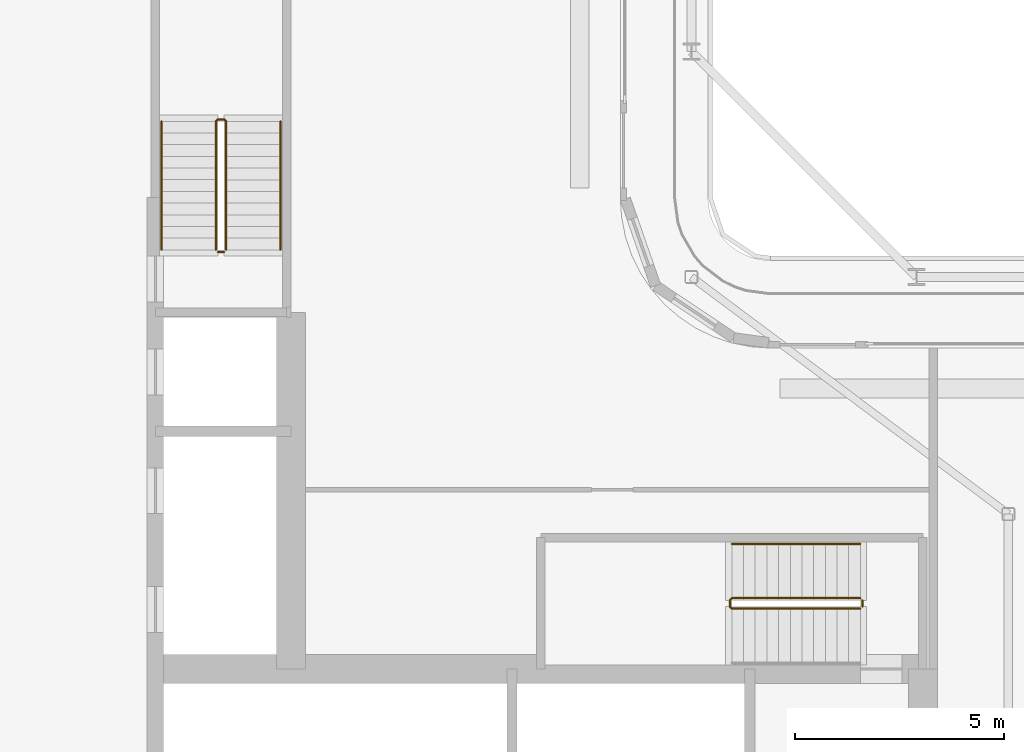
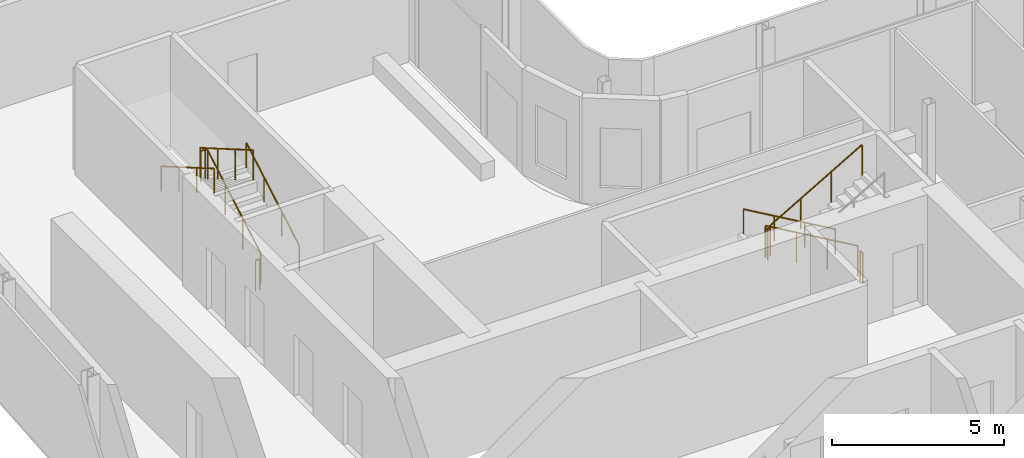
# One storey, part 18 of 23: 7 railings.
"""IFC4 building model written with IfcOpenShell, lengths in metres."""

from ifc_helpers import new_model, si_unit, direction, frame, origin, origin_2d, place, context, subcontext, project, spatial, circle, extrude, material, type_object, element, save


model = new_model("IFC4")

# Units and contexts
model_context = context("Model", 3, precision=1e-05, world=origin(), true_north=direction((0.0, 1.0)))
body_context = subcontext(model_context, "Body", "Model", "MODEL_VIEW")
ifc_project = project(units=[si_unit("LENGTHUNIT", "METRE"), si_unit("AREAUNIT", "SQUARE_METRE"), si_unit("VOLUMEUNIT", "CUBIC_METRE"), si_unit("PLANEANGLEUNIT", "RADIAN"), si_unit("MASSUNIT", "GRAM", prefix="KILO")], contexts=[model_context])

# Site, building, storey
site_placement = place(None, origin())
site = spatial("IfcSite", under=ifc_project, at=site_placement, CompositionType="ELEMENT")
building_placement = place(site_placement, origin())
building = spatial("IfcBuilding", under=site, at=building_placement, Name="Kheshtan School and Residences Tower", CompositionType="ELEMENT")
storey_placement = place(building_placement, frame((0.0, 0.0, 243.5)))
storey = spatial("IfcBuildingStorey", under=building, at=storey_placement, Name="L57", CompositionType="ELEMENT", Elevation=243.5)

# Railings
ifc_material_1 = material(Name="Stainless steel balustrade", Category="steel")
railing_type_1 = type_object("IfcRailingType", Name="Stair guard 1100", PredefinedType="GUARDRAIL", material=ifc_material_1)
railing_1_placement = place(storey_placement, frame((51.64990234375, 37.89990234375, 0.16259765625)))
element("IfcRailing", 1, at=railing_1_placement, inside=storey, type_object=railing_type_1, Name="L57 ST1 stair guard 1", PredefinedType="GUARDRAIL", context=body_context, shape_type="SweptSolid", body=[
    extrude(circle(Radius=0.02392578125, at=origin_2d()), frame((0.0, 0.0, 1.076171875), z_axis=(-0.864903211148, 0.0, 0.501938676878), x_axis=(0.0, -1.0, 0.0)), (0.0, 0.0, 1.0), 3.560791015625),
    extrude(circle(Radius=0.02392578125, at=origin_2d()), frame((-3.079833984375, 0.0, 2.86328125), z_axis=(-0.708833529934, -0.705375805398, 0.0), x_axis=(0.705375805398, -0.708833529934, 0.0)), (0.0, 0.0, 1.0), 0.070556640625),
    extrude(circle(Radius=0.02392578125, at=origin_2d()), frame((-3.1298828125, -0.0498046875, 2.86328125), z_axis=(0.0, -1.0, 0.0), x_axis=(1.0, 0.0, 0.0)), (0.0, 0.0, 1.0), 0.150146484375),
    extrude(circle(Radius=0.02392578125, at=origin_2d()), frame((-3.1298828125, -0.199951171875, 2.86328125), z_axis=(0.282227285176, -0.282227285176, 0.916894497205), x_axis=(0.707106781187, 0.707106781187, 0.0)), (0.0, 0.0, 1.0), 0.17724609375),
    extrude(circle(Radius=0.02392578125, at=origin_2d()), frame((-3.079833984375, -0.25, 3.02587890625), z_axis=(0.864903211148, 0.0, 0.501938676878), x_axis=(0.0, 1.0, 0.0)), (0.0, 0.0, 1.0), 3.560791015625),
    extrude(circle(Radius=0.02099609375, at=origin_2d()), origin(), (0.0, 0.0, 1.0), 1.052001953125),
    extrude(circle(Radius=0.02099609375, at=origin_2d()), frame((-1.026611328125, 0.0, 0.595703125)), (0.0, 0.0, 1.0), 1.052001953125),
    extrude(circle(Radius=0.02099609375, at=origin_2d()), frame((-2.05322265625, 0.0, 1.191650390625)), (0.0, 0.0, 1.0), 1.052001953125),
    extrude(circle(Radius=0.02099609375, at=origin_2d()), frame((-3.079833984375, 0.0, 1.787353515625)), (0.0, 0.0, 1.0), 1.052001953125),
    extrude(circle(Radius=0.02099609375, at=origin_2d()), frame((-3.1298828125, -0.0498046875, 1.787353515625)), (0.0, 0.0, 1.0), 1.052001953125),
    extrude(circle(Radius=0.02099609375, at=origin_2d()), frame((-3.1298828125, -0.199951171875, 1.787353515625)), (0.0, 0.0, 1.0), 1.052001953125),
    extrude(circle(Radius=0.02099609375, at=origin_2d()), frame((-3.079833984375, -0.25, 1.949951171875)), (0.0, 0.0, 1.0), 1.052001953125),
    extrude(circle(Radius=0.02099609375, at=origin_2d()), frame((-2.05322265625, -0.25, 2.545654296875)), (0.0, 0.0, 1.0), 1.052001953125),
    extrude(circle(Radius=0.02099609375, at=origin_2d()), frame((-1.026611328125, -0.25, 3.1416015625)), (0.0, 0.0, 1.0), 1.052001953125),
    extrude(circle(Radius=0.02099609375, at=origin_2d()), frame((0.0, -0.25, 3.7373046875)), (0.0, 0.0, 1.0), 1.052001953125),
])
railing_2_placement = place(storey_placement, frame((51.699951171875, 37.85009765625, 0.0)))
element("IfcRailing", 2, at=railing_2_placement, inside=storey, type_object=railing_type_1, Name="L57 ST1 stair guard 2", PredefinedType="GUARDRAIL", context=body_context, shape_type="SweptSolid", body=[
    extrude(circle(Radius=0.02392578125, at=origin_2d()), frame((0.0, 0.0, 1.076171875), z_axis=(0.0, -1.0, 0.0), x_axis=(1.0, 0.0, 0.0)), (0.0, 0.0, 1.0), 0.150146484375),
    extrude(circle(Radius=0.02099609375, at=origin_2d()), origin(), (0.0, 0.0, 1.0), 1.052001953125),
    extrude(circle(Radius=0.02099609375, at=origin_2d()), frame((0.0, -0.150146484375, 0.0)), (0.0, 0.0, 1.0), 1.052001953125),
])
railing_3_placement = place(storey_placement, frame((36.449951171875, 46.25, 0.16259765625)))
element("IfcRailing", 3, at=railing_3_placement, inside=storey, type_object=railing_type_1, Name="L57 ST2 stair guard 1", PredefinedType="GUARDRAIL", context=body_context, shape_type="SweptSolid", body=[
    extrude(circle(Radius=0.02392578125, at=origin_2d()), frame((0.0, 0.0, 1.076171875), z_axis=(0.0, 0.864920483161, 0.501908913857), x_axis=(-1.0, 0.0, 0.0)), (0.0, 0.0, 1.0), 3.56103515625),
    extrude(circle(Radius=0.02392578125, at=origin_2d()), frame((0.0, 3.080078125, 2.86328125), z_axis=(-0.708833529934, 0.705375805398, 0.0), x_axis=(-0.705375805398, -0.708833529934, 0.0)), (0.0, 0.0, 1.0), 0.070556640625),
    extrude(circle(Radius=0.02392578125, at=origin_2d()), frame((-0.050048828125, 3.1298828125, 2.86328125), z_axis=(-1.0, 0.0, 0.0), x_axis=(0.0, -1.0, 0.0)), (0.0, 0.0, 1.0), 0.14990234375),
    extrude(circle(Radius=0.02392578125, at=origin_2d()), frame((-0.199951171875, 3.1298828125, 2.86328125), z_axis=(-0.282336740067, -0.280959487676, 0.917250092119), x_axis=(0.705375805398, -0.708833529934, 0.0)), (0.0, 0.0, 1.0), 0.17724609375),
    extrude(circle(Radius=0.02392578125, at=origin_2d()), frame((-0.25, 3.080078125, 3.02587890625), z_axis=(0.0, -0.864920483161, 0.501908913857), x_axis=(1.0, 0.0, 0.0)), (0.0, 0.0, 1.0), 3.56103515625),
    extrude(circle(Radius=0.02099609375, at=origin_2d()), origin(), (0.0, 0.0, 1.0), 1.052001953125),
    extrude(circle(Radius=0.02099609375, at=origin_2d()), frame((0.0, 1.026611328125, 0.595703125)), (0.0, 0.0, 1.0), 1.052001953125),
    extrude(circle(Radius=0.02099609375, at=origin_2d()), frame((0.0, 2.053466796875, 1.191650390625)), (0.0, 0.0, 1.0), 1.052001953125),
    extrude(circle(Radius=0.02099609375, at=origin_2d()), frame((0.0, 3.080078125, 1.787353515625)), (0.0, 0.0, 1.0), 1.052001953125),
    extrude(circle(Radius=0.02099609375, at=origin_2d()), frame((-0.050048828125, 3.1298828125, 1.787353515625)), (0.0, 0.0, 1.0), 1.052001953125),
    extrude(circle(Radius=0.02099609375, at=origin_2d()), frame((-0.199951171875, 3.1298828125, 1.787353515625)), (0.0, 0.0, 1.0), 1.052001953125),
    extrude(circle(Radius=0.02099609375, at=origin_2d()), frame((-0.25, 3.080078125, 1.949951171875)), (0.0, 0.0, 1.0), 1.052001953125),
    extrude(circle(Radius=0.02099609375, at=origin_2d()), frame((-0.25, 2.053466796875, 2.545654296875)), (0.0, 0.0, 1.0), 1.052001953125),
    extrude(circle(Radius=0.02099609375, at=origin_2d()), frame((-0.25, 1.026611328125, 3.1416015625)), (0.0, 0.0, 1.0), 1.052001953125),
    extrude(circle(Radius=0.02099609375, at=origin_2d()), frame((-0.25, 0.0, 3.7373046875)), (0.0, 0.0, 1.0), 1.052001953125),
])
railing_4_placement = place(storey_placement, frame((36.39990234375, 46.199951171875, 0.0)))
element("IfcRailing", 4, at=railing_4_placement, inside=storey, type_object=railing_type_1, Name="L57 ST2 stair guard 2", PredefinedType="GUARDRAIL", context=body_context, shape_type="SweptSolid", body=[
    extrude(circle(Radius=0.02392578125, at=origin_2d()), frame((0.0, 0.0, 1.076171875), z_axis=(-1.0, 0.0, 0.0), x_axis=(0.0, -1.0, 0.0)), (0.0, 0.0, 1.0), 0.14990234375),
    extrude(circle(Radius=0.02099609375, at=origin_2d()), origin(), (0.0, 0.0, 1.0), 1.052001953125),
    extrude(circle(Radius=0.02099609375, at=origin_2d()), frame((-0.14990234375, 0.0, 0.0)), (0.0, 0.0, 1.0), 1.052001953125),
])
ifc_material_2 = material(Name="Stainless steel handrail", Category="steel")
railing_type_2 = type_object("IfcRailingType", Name="Stair handrail 900", PredefinedType="HANDRAIL", material=ifc_material_2)
railing_5_placement = place(storey_placement, frame((51.64990234375, 39.199951171875, 0.16259765625)))
element("IfcRailing", 5, at=railing_5_placement, inside=storey, type_object=railing_type_2, Name="L57 ST1 stair handrail 1", PredefinedType="HANDRAIL", context=body_context, shape_type="SweptSolid", body=[
    extrude(circle(Radius=0.02392578125, at=origin_2d()), frame((0.0, 0.0, 0.8759765625), z_axis=(-0.864903211148, 0.0, 0.501938676878), x_axis=(0.0, -1.0, 0.0)), (0.0, 0.0, 1.0), 3.560791015625),
    extrude(circle(Radius=0.02099609375, at=origin_2d()), origin(), (0.0, 0.0, 1.0), 0.851806640625),
    extrude(circle(Radius=0.02099609375, at=origin_2d()), frame((-1.026611328125, 0.0, 0.595703125)), (0.0, 0.0, 1.0), 0.851806640625),
    extrude(circle(Radius=0.02099609375, at=origin_2d()), frame((-2.05322265625, 0.0, 1.191650390625)), (0.0, 0.0, 1.0), 0.851806640625),
    extrude(circle(Radius=0.02099609375, at=origin_2d()), frame((-3.079833984375, 0.0, 1.787353515625)), (0.0, 0.0, 1.0), 0.851806640625),
])
railing_6_placement = place(storey_placement, frame((37.75, 46.25, 0.16259765625)))
element("IfcRailing", 6, at=railing_6_placement, inside=storey, type_object=railing_type_2, Name="L57 ST2 stair handrail 1", PredefinedType="HANDRAIL", context=body_context, shape_type="SweptSolid", body=[
    extrude(circle(Radius=0.02392578125, at=origin_2d()), frame((0.0, 0.0, 0.8759765625), z_axis=(0.0, 0.864920483161, 0.501908913857), x_axis=(-1.0, 0.0, 0.0)), (0.0, 0.0, 1.0), 3.56103515625),
    extrude(circle(Radius=0.02099609375, at=origin_2d()), origin(), (0.0, 0.0, 1.0), 0.851806640625),
    extrude(circle(Radius=0.02099609375, at=origin_2d()), frame((0.0, 1.026611328125, 0.595703125)), (0.0, 0.0, 1.0), 0.851806640625),
    extrude(circle(Radius=0.02099609375, at=origin_2d()), frame((0.0, 2.053466796875, 1.191650390625)), (0.0, 0.0, 1.0), 0.851806640625),
    extrude(circle(Radius=0.02099609375, at=origin_2d()), frame((0.0, 3.080078125, 1.787353515625)), (0.0, 0.0, 1.0), 0.851806640625),
])
railing_7_placement = place(storey_placement, frame((34.89990234375, 49.330078125, 2.112548828125)))
element("IfcRailing", 7, at=railing_7_placement, inside=storey, type_object=railing_type_2, Name="L57 ST2 stair handrail 2", PredefinedType="HANDRAIL", context=body_context, shape_type="SweptSolid", body=[
    extrude(circle(Radius=0.02392578125, at=origin_2d()), frame((0.0, 0.0, 0.8759765625), z_axis=(0.0, -0.864920483161, 0.501908913857), x_axis=(1.0, 0.0, 0.0)), (0.0, 0.0, 1.0), 3.56103515625),
    extrude(circle(Radius=0.02099609375, at=origin_2d()), origin(), (0.0, 0.0, 1.0), 0.851806640625),
    extrude(circle(Radius=0.02099609375, at=origin_2d()), frame((0.0, -1.026611328125, 0.595703125)), (0.0, 0.0, 1.0), 0.851806640625),
    extrude(circle(Radius=0.02099609375, at=origin_2d()), frame((0.0, -2.053466796875, 1.191650390625)), (0.0, 0.0, 1.0), 0.851806640625),
    extrude(circle(Radius=0.02099609375, at=origin_2d()), frame((0.0, -3.080078125, 1.787353515625)), (0.0, 0.0, 1.0), 0.851806640625),
])

save(model, "model.ifc")
